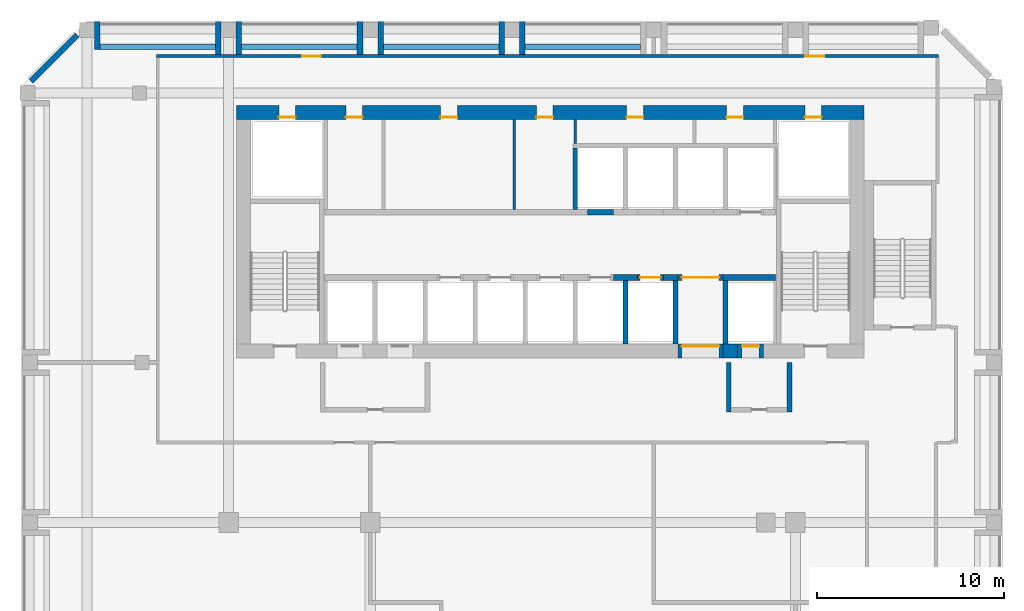
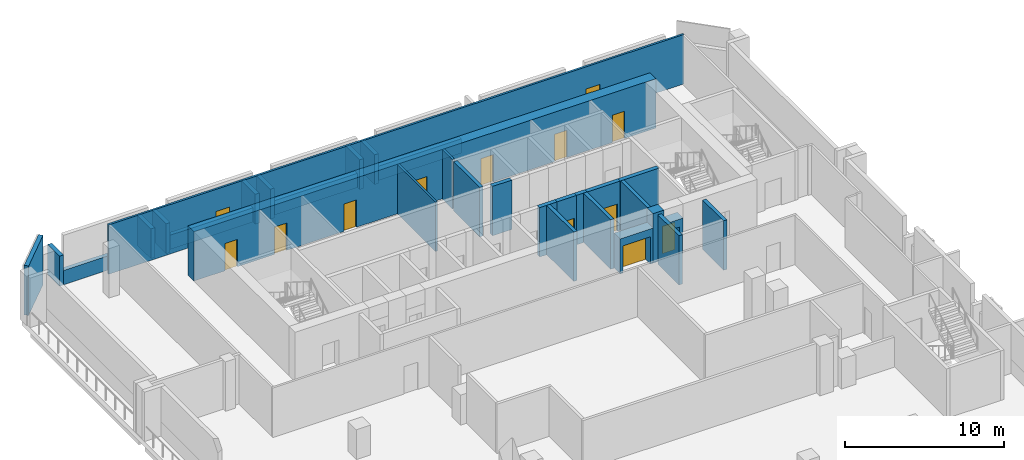
# One storey, part 4 of 9: 31 walls, 13 doors, 13 openings.
"""IFC4 building model written with IfcOpenShell, lengths in metres."""

from ifc_helpers import new_model, si_unit, direction, frame, frame_2d, origin, place, context, subcontext, project, spatial, rectangle, extrude, source, transform, mapped, material, layer, layer_set, type_object, element, fill, save


model = new_model("IFC4")

# Units and contexts
model_context = context("Model", 3, precision=1e-05, world=origin(), true_north=direction((0.0, 1.0)))
body_context = subcontext(model_context, "Body", "Model", "MODEL_VIEW")
ifc_project = project(units=[si_unit("LENGTHUNIT", "METRE"), si_unit("AREAUNIT", "SQUARE_METRE"), si_unit("VOLUMEUNIT", "CUBIC_METRE"), si_unit("PLANEANGLEUNIT", "RADIAN"), si_unit("MASSUNIT", "GRAM", prefix="KILO")], contexts=[model_context])

# Site, building, storey
site_placement = place(None, origin())
site = spatial("IfcSite", under=ifc_project, at=site_placement, CompositionType="ELEMENT")
building_placement = place(site_placement, origin())
building = spatial("IfcBuilding", under=site, at=building_placement, Name="Kilnfold Tower and Market Hall", CompositionType="ELEMENT")
storey_placement = place(building_placement, frame((0.0, 0.0, 195.699951171875)))
storey = spatial("IfcBuildingStorey", under=building, at=storey_placement, Name="L47 Plant Transfer Level", CompositionType="ELEMENT", Elevation=195.699951171875)

# Wall, openings, doors
ifc_material_1 = material(Name="Gypsum board on steel studs", Category="steel")
ifc_layer_1 = layer(ifc_material_1, 0.14990234375)
ifc_layer_set_1 = layer_set([ifc_layer_1], Name="Gypsum board on steel studs")
wall_type_1 = type_object("IfcWallType", Name="WALL CORRIDOR 150", PredefinedType="PARTITIONING", material=ifc_layer_set_1)
wall_1_placement = place(storey_placement, frame((-20.033935546875, 24.39990234375, 0.0), z_axis=(0.0, 0.0, 1.0), x_axis=(1.0, 0.0, 0.0)))
wall_1 = element("IfcWall", 1, at=wall_1_placement, inside=storey, type_object=wall_type_1, Name="Partition LY29.13", PredefinedType="PARTITIONING", context=body_context, shape_type="SweptSolid", body=[
    extrude(rectangle(XDim=41.85888671875, YDim=0.14990234375, at=frame_2d((20.929443359375, 0.0))), origin(), (0.0, 0.0, 1.0), 3.800048828125),
])
opening_1_placement = place(wall_1_placement, frame((7.80810546875, 0.0, 0.0)))
opening_1 = element("IfcOpeningElement", 2, at=opening_1_placement, cuts=wall_1, Name="Opening D4", PredefinedType="OPENING", context=body_context, shape_type="SweptSolid", body=[
    extrude(rectangle(XDim=1.0, YDim=2.10009765625, at=frame_2d((0.5, 1.050048828125))), frame((0.0, 0.0849609375, 0.0), z_axis=(0.0, -1.0, 0.0), x_axis=(1.0, 0.0, 0.0)), (0.0, 0.0, 1.0), 0.169921875),
])
opening_2_placement = place(wall_1_placement, frame((34.736083984375, 0.0, 0.0)))
opening_2 = element("IfcOpeningElement", 3, at=opening_2_placement, cuts=wall_1, Name="Opening D4", PredefinedType="OPENING", context=body_context, shape_type="SweptSolid", body=[
    extrude(rectangle(XDim=1.0, YDim=2.10009765625, at=frame_2d((0.5, 1.050048828125))), frame((0.0, 0.0849609375, 0.0), z_axis=(0.0, -1.0, 0.0), x_axis=(1.0, 0.0, 0.0)), (0.0, 0.0, 1.0), 0.169921875),
])
ifc_material_2 = material(Name="Timber veneer door leaf in steel frame", Category="steel")
door_type_1 = type_object("IfcDoorType", Name="DOOR SERVICE 1000 X2100", OperationType="NOTDEFINED", PredefinedType="DOOR", material=ifc_material_2)
door_1_placement = place(opening_1_placement, origin())
door_1 = element("IfcDoor", 4, at=door_1_placement, inside=storey, type_object=door_type_1, Name="Door D4", OperationType="SINGLE_SWING_LEFT", OverallHeight=2.10009765625, OverallWidth=1.0, PredefinedType="DOOR", context=body_context, shape_type="SweptSolid", body=[
    extrude(rectangle(XDim=1.0, YDim=2.10009765625, at=frame_2d((0.5, 1.050048828125))), frame((0.0, 0.02490234375, 0.0), z_axis=(0.0, -1.0, 0.0), x_axis=(1.0, 0.0, 0.0)), (0.0, 0.0, 1.0), 0.050048828125),
])
fill(opening_1, door_1)
door_2_placement = place(opening_2_placement, origin())
door_2 = element("IfcDoor", 5, at=door_2_placement, inside=storey, type_object=door_type_1, Name="Door D4", OperationType="SINGLE_SWING_LEFT", OverallHeight=2.10009765625, OverallWidth=1.0, PredefinedType="DOOR", context=body_context, shape_type="SweptSolid", body=[
    extrude(rectangle(XDim=1.0, YDim=2.10009765625, at=frame_2d((0.5, 1.050048828125))), frame((0.0, 0.02490234375, 0.0), z_axis=(0.0, -1.0, 0.0), x_axis=(1.0, 0.0, 0.0)), (0.0, 0.0, 1.0), 0.050048828125),
])
fill(opening_2, door_2)

# Walls
ifc_material_3 = material(Name="Concrete C60", Category="concrete")
ifc_layer_2 = layer(ifc_material_3, 0.300048828125)
ifc_layer_set_2 = layer_set([ifc_layer_2], Name="Concrete C60")
wall_type_2 = type_object("IfcWallType", Name="CORE WALL 300 C60", PredefinedType="SHEAR", material=ifc_layer_set_2)
shared_shape_1 = source(origin(), body_context, "Body", "SweptSolid", [
    extrude(rectangle(XDim=1.280029296875, YDim=0.300048828125, at=frame_2d((0.64013671875, 0.0))), origin(), (0.0, 0.0, 1.0), 3.800048828125),
])
wall_2_placement = place(storey_placement, frame((4.429931640625, 12.550048828125, 0.0), z_axis=(0.0, 0.0, 1.0), x_axis=(1.0, 0.0, 0.0)))
element("IfcWall", 6, at=wall_2_placement, inside=storey, type_object=wall_type_2, Name="Core spine wall", PredefinedType="SHEAR", context=body_context, shape_type="MappedRepresentation", body=[
    mapped(shared_shape_1, transform((0.0, 0.0, 0.0))),
])
shared_shape_2 = source(origin(), body_context, "Body", "SweptSolid", [
    extrude(rectangle(XDim=0.77978515625, YDim=0.300048828125, at=frame_2d((0.389892578125, 0.0))), origin(), (0.0, 0.0, 1.0), 3.800048828125),
])
wall_3_placement = place(storey_placement, frame((7.110107421875, 12.550048828125, 0.0), z_axis=(0.0, 0.0, 1.0), x_axis=(1.0, 0.0, 0.0)))
element("IfcWall", 7, at=wall_3_placement, inside=storey, type_object=wall_type_2, Name="Core spine wall", PredefinedType="SHEAR", context=body_context, shape_type="MappedRepresentation", body=[
    mapped(shared_shape_2, transform((0.0, 0.0, 0.0))),
])
shared_shape_3 = source(origin(), body_context, "Body", "SweptSolid", [
    extrude(rectangle(XDim=2.820068359375, YDim=0.300048828125, at=frame_2d((1.41015625, 0.0))), origin(), (0.0, 0.0, 1.0), 3.800048828125),
])
wall_4_placement = place(storey_placement, frame((10.2900390625, 12.550048828125, 0.0), z_axis=(0.0, 0.0, 1.0), x_axis=(1.0, 0.0, 0.0)))
element("IfcWall", 8, at=wall_4_placement, inside=storey, type_object=wall_type_2, Name="Core spine wall", PredefinedType="SHEAR", context=body_context, shape_type="MappedRepresentation", body=[
    mapped(shared_shape_3, transform((0.0, 0.0, 0.0))),
])
ifc_material_4 = material(Name="Concrete C60", Category="concrete")
ifc_layer_3 = layer(ifc_material_4, 0.75)
ifc_layer_set_3 = layer_set([ifc_layer_3], Name="Concrete C60")
wall_type_3 = type_object("IfcWallType", Name="CORE WALL 750 C60", PredefinedType="SHEAR", material=ifc_layer_set_3)
shared_shape_4 = source(origin(), body_context, "Body", "SweptSolid", [
    extrude(rectangle(XDim=0.780029296875, YDim=0.75, at=frame_2d((0.39013671875, 0.0))), origin(), (0.0, 0.0, 1.0), 3.800048828125),
])
wall_5_placement = place(storey_placement, frame((10.2900390625, 8.625, 0.0), z_axis=(0.0, 0.0, 1.0), x_axis=(1.0, 0.0, 0.0)))
element("IfcWall", 9, at=wall_5_placement, inside=storey, type_object=wall_type_3, Name="Core outer wall south", PredefinedType="SHEAR", context=body_context, shape_type="MappedRepresentation", body=[
    mapped(shared_shape_4, transform((0.0, 0.0, 0.0))),
])

# Wall, openings, doors
shared_shape_5 = source(origin(), body_context, "Body", "SweptSolid", [
    extrude(rectangle(XDim=33.60009765625, YDim=0.75, at=frame_2d((16.800048828125, 0.0))), origin(), (0.0, 0.0, 1.0), 3.800048828125),
])
wall_6_placement = place(storey_placement, frame((-15.75, 21.375, 0.0), z_axis=(0.0, 0.0, 1.0), x_axis=(1.0, 0.0, 0.0)))
wall_6 = element("IfcWall", 10, at=wall_6_placement, inside=storey, type_object=wall_type_3, Name="Core outer wall north", PredefinedType="SHEAR", context=body_context, shape_type="MappedRepresentation", body=[
    mapped(shared_shape_5, transform((0.0, 0.0, 0.0))),
])
opening_3_placement = place(wall_6_placement, frame((5.85791015625, 0.0, 0.0)))
opening_3 = element("IfcOpeningElement", 11, at=opening_3_placement, cuts=wall_6, Name="Opening KD1", PredefinedType="OPENING", context=body_context, shape_type="SweptSolid", body=[
    extrude(rectangle(XDim=0.89990234375, YDim=2.10009765625, at=frame_2d((0.449951171875, 1.050048828125))), frame((0.0, 0.385009765625, 0.0), z_axis=(0.0, -1.0, 0.0), x_axis=(1.0, 0.0, 0.0)), (0.0, 0.0, 1.0), 0.77001953125),
])
opening_4_placement = place(wall_6_placement, frame((10.923095703125, 0.0, 0.0)))
opening_4 = element("IfcOpeningElement", 12, at=opening_4_placement, cuts=wall_6, Name="Opening KD1", PredefinedType="OPENING", context=body_context, shape_type="SweptSolid", body=[
    extrude(rectangle(XDim=0.89990234375, YDim=2.10009765625, at=frame_2d((0.449951171875, 1.050048828125))), frame((0.0, 0.385009765625, 0.0), z_axis=(0.0, -1.0, 0.0), x_axis=(1.0, 0.0, 0.0)), (0.0, 0.0, 1.0), 0.77001953125),
])
opening_5_placement = place(wall_6_placement, frame((16.05517578125, 0.0, 0.0)))
opening_5 = element("IfcOpeningElement", 13, at=opening_5_placement, cuts=wall_6, Name="Opening KD1", PredefinedType="OPENING", context=body_context, shape_type="SweptSolid", body=[
    extrude(rectangle(XDim=0.89990234375, YDim=2.10009765625, at=frame_2d((0.449951171875, 1.050048828125))), frame((0.0, 0.385009765625, 0.0), z_axis=(0.0, -1.0, 0.0), x_axis=(1.0, 0.0, 0.0)), (0.0, 0.0, 1.0), 0.77001953125),
])
opening_6_placement = place(wall_6_placement, frame((20.879150390625, 0.0, 0.0)))
opening_6 = element("IfcOpeningElement", 14, at=opening_6_placement, cuts=wall_6, Name="Opening KD1", PredefinedType="OPENING", context=body_context, shape_type="SweptSolid", body=[
    extrude(rectangle(XDim=0.89990234375, YDim=2.10009765625, at=frame_2d((0.449951171875, 1.050048828125))), frame((0.0, 0.385009765625, 0.0), z_axis=(0.0, -1.0, 0.0), x_axis=(1.0, 0.0, 0.0)), (0.0, 0.0, 1.0), 0.77001953125),
])
opening_7_placement = place(wall_6_placement, frame((26.2392578125, 0.0, 0.0)))
opening_7 = element("IfcOpeningElement", 15, at=opening_7_placement, cuts=wall_6, Name="Opening KD1", PredefinedType="OPENING", context=body_context, shape_type="SweptSolid", body=[
    extrude(rectangle(XDim=0.89990234375, YDim=2.10009765625, at=frame_2d((0.449951171875, 1.050048828125))), frame((0.0, 0.385009765625, 0.0), z_axis=(0.0, -1.0, 0.0), x_axis=(1.0, 0.0, 0.0)), (0.0, 0.0, 1.0), 0.77001953125),
])
opening_8_placement = place(wall_6_placement, frame((2.27490234375, 0.0, 0.0)))
opening_8 = element("IfcOpeningElement", 16, at=opening_8_placement, cuts=wall_6, Name="Opening KD1", PredefinedType="OPENING", context=body_context, shape_type="SweptSolid", body=[
    extrude(rectangle(XDim=0.89990234375, YDim=2.10009765625, at=frame_2d((0.449951171875, 1.050048828125))), frame((0.0, 0.385009765625, 0.0), z_axis=(0.0, -1.0, 0.0), x_axis=(1.0, 0.0, 0.0)), (0.0, 0.0, 1.0), 0.77001953125),
])
opening_9_placement = place(wall_6_placement, frame((30.425048828125, 0.0, 0.0)))
opening_9 = element("IfcOpeningElement", 17, at=opening_9_placement, cuts=wall_6, Name="Opening KD1", PredefinedType="OPENING", context=body_context, shape_type="SweptSolid", body=[
    extrude(rectangle(XDim=0.89990234375, YDim=2.10009765625, at=frame_2d((0.449951171875, 1.050048828125))), frame((0.0, 0.385009765625, 0.0), z_axis=(0.0, -1.0, 0.0), x_axis=(1.0, 0.0, 0.0)), (0.0, 0.0, 1.0), 0.77001953125),
])
ifc_material_5 = material(Name="Steel door set with fire-resisting leaf", Category="steel")
door_type_2 = type_object("IfcDoorType", Name="SERVICE DOOR 900X2100", OperationType="NOTDEFINED", PredefinedType="DOOR", material=ifc_material_5)
door_3_placement = place(opening_3_placement, origin())
door_3 = element("IfcDoor", 18, at=door_3_placement, inside=storey, type_object=door_type_2, Name="Core service door", OperationType="SINGLE_SWING_RIGHT", OverallHeight=2.10009765625, OverallWidth=0.89990234375, PredefinedType="DOOR", context=body_context, shape_type="SweptSolid", body=[
    extrude(rectangle(XDim=0.89990234375, YDim=2.10009765625, at=frame_2d((0.449951171875, 1.050048828125))), frame((0.0, -0.22998046875, 0.0), z_axis=(0.0, -1.0, 0.0), x_axis=(1.0, 0.0, 0.0)), (0.0, 0.0, 1.0), 0.050048828125),
])
fill(opening_3, door_3)
door_4_placement = place(opening_4_placement, origin())
door_4 = element("IfcDoor", 19, at=door_4_placement, inside=storey, type_object=door_type_2, Name="Core service door", OperationType="SINGLE_SWING_LEFT", OverallHeight=2.10009765625, OverallWidth=0.89990234375, PredefinedType="DOOR", context=body_context, shape_type="SweptSolid", body=[
    extrude(rectangle(XDim=0.89990234375, YDim=2.10009765625, at=frame_2d((0.449951171875, 1.050048828125))), frame((0.0, -0.22998046875, 0.0), z_axis=(0.0, -1.0, 0.0), x_axis=(1.0, 0.0, 0.0)), (0.0, 0.0, 1.0), 0.050048828125),
])
fill(opening_4, door_4)
door_5_placement = place(opening_5_placement, origin())
door_5 = element("IfcDoor", 20, at=door_5_placement, inside=storey, type_object=door_type_2, Name="Core service door", OperationType="SINGLE_SWING_RIGHT", OverallHeight=2.10009765625, OverallWidth=0.89990234375, PredefinedType="DOOR", context=body_context, shape_type="SweptSolid", body=[
    extrude(rectangle(XDim=0.89990234375, YDim=2.10009765625, at=frame_2d((0.449951171875, 1.050048828125))), frame((0.0, -0.22998046875, 0.0), z_axis=(0.0, -1.0, 0.0), x_axis=(1.0, 0.0, 0.0)), (0.0, 0.0, 1.0), 0.050048828125),
])
fill(opening_5, door_5)
door_6_placement = place(opening_6_placement, origin())
door_6 = element("IfcDoor", 21, at=door_6_placement, inside=storey, type_object=door_type_2, Name="Core service door", OperationType="SINGLE_SWING_LEFT", OverallHeight=2.10009765625, OverallWidth=0.89990234375, PredefinedType="DOOR", context=body_context, shape_type="SweptSolid", body=[
    extrude(rectangle(XDim=0.89990234375, YDim=2.10009765625, at=frame_2d((0.449951171875, 1.050048828125))), frame((0.0, -0.22998046875, 0.0), z_axis=(0.0, -1.0, 0.0), x_axis=(1.0, 0.0, 0.0)), (0.0, 0.0, 1.0), 0.050048828125),
])
fill(opening_6, door_6)
door_7_placement = place(opening_7_placement, origin())
door_7 = element("IfcDoor", 22, at=door_7_placement, inside=storey, type_object=door_type_2, Name="Core service door", OperationType="SINGLE_SWING_RIGHT", OverallHeight=2.10009765625, OverallWidth=0.89990234375, PredefinedType="DOOR", context=body_context, shape_type="SweptSolid", body=[
    extrude(rectangle(XDim=0.89990234375, YDim=2.10009765625, at=frame_2d((0.449951171875, 1.050048828125))), frame((0.0, -0.22998046875, 0.0), z_axis=(0.0, -1.0, 0.0), x_axis=(1.0, 0.0, 0.0)), (0.0, 0.0, 1.0), 0.050048828125),
])
fill(opening_7, door_7)
door_8_placement = place(opening_8_placement, origin())
door_8 = element("IfcDoor", 23, at=door_8_placement, inside=storey, type_object=door_type_2, Name="Electrical riser access door", OperationType="SINGLE_SWING_LEFT", OverallHeight=2.10009765625, OverallWidth=0.89990234375, PredefinedType="DOOR", context=body_context, shape_type="SweptSolid", body=[
    extrude(rectangle(XDim=0.89990234375, YDim=2.10009765625, at=frame_2d((0.449951171875, 1.050048828125))), frame((0.0, -0.22998046875, 0.0), z_axis=(0.0, -1.0, 0.0), x_axis=(1.0, 0.0, 0.0)), (0.0, 0.0, 1.0), 0.050048828125),
])
fill(opening_8, door_8)
door_9_placement = place(opening_9_placement, origin())
door_9 = element("IfcDoor", 24, at=door_9_placement, inside=storey, type_object=door_type_2, Name="Mechanical riser access door", OperationType="SINGLE_SWING_RIGHT", OverallHeight=2.10009765625, OverallWidth=0.89990234375, PredefinedType="DOOR", context=body_context, shape_type="SweptSolid", body=[
    extrude(rectangle(XDim=0.89990234375, YDim=2.10009765625, at=frame_2d((0.449951171875, 1.050048828125))), frame((0.0, -0.22998046875, 0.0), z_axis=(0.0, -1.0, 0.0), x_axis=(1.0, 0.0, 0.0)), (0.0, 0.0, 1.0), 0.050048828125),
])
fill(opening_9, door_9)

# Walls
ifc_material_6 = material(Name="Precast concrete C50/60", Category="concrete")
ifc_layer_4 = layer(ifc_material_6, 0.300048828125)
ifc_layer_set_4 = layer_set([ifc_layer_4], Name="Precast concrete C50/60")
wall_type_4 = type_object("IfcWallType", Name="PRECAST WALL 300", PredefinedType="SOLIDWALL", material=ifc_layer_set_4)
shared_shape_6 = source(origin(), body_context, "Body", "SweptSolid", [
    extrude(rectangle(XDim=1.5, YDim=0.300048828125, at=frame_2d((0.75, 0.0))), origin(), (0.0, 0.0, 1.0), 2.300048828125),
])
wall_7_placement = place(storey_placement, frame((-23.199951171875, 26.25, 0.0), z_axis=(0.0, 0.0, 1.0), x_axis=(0.0, -1.0, 0.0)))
element("IfcWall", 25, at=wall_7_placement, inside=storey, type_object=wall_type_4, Name="Plant wall L47 N", PredefinedType="SOLIDWALL", context=body_context, shape_type="MappedRepresentation", body=[
    mapped(shared_shape_6, transform((0.0, 0.0, 0.0))),
])
shared_shape_7 = source(origin(), body_context, "Body", "SweptSolid", [
    extrude(rectangle(XDim=3.500244140625, YDim=0.300048828125, at=frame_2d((1.75, 0.0))), origin(), (0.0, 0.0, 1.0), 3.800048828125),
])
wall_8_placement = place(storey_placement, frame((-24.268798828125, 25.518798828125, 0.0), z_axis=(0.0, 0.0, 1.0), x_axis=(-0.707141656123, -0.70707190453, 0.0)))
element("IfcWall", 26, at=wall_8_placement, inside=storey, type_object=wall_type_4, Name="Plant wall L47 NW", PredefinedType="SOLIDWALL", context=body_context, shape_type="MappedRepresentation", body=[
    mapped(shared_shape_7, transform((0.0, 0.0, 0.0))),
])
shared_shape_8 = source(origin(), body_context, "Body", "SweptSolid", [
    extrude(rectangle(XDim=6.183349609375, YDim=0.300048828125, at=frame_2d((3.091796875, 0.0))), origin(), (0.0, 0.0, 1.0), 1.10009765625),
])
for number, where, z_axis, x_axis, name in (
    (27, (5.88330078125, 24.89990234375, 0.0), (0.0, 0.0, 1.0), (-1.0, 0.0, 0.0), "Knee wall L47 N"),
    (28, (-1.699951171875, 24.89990234375, 0.0), (0.0, 0.0, 1.0), (-1.0, 0.0, 0.0), "Knee wall L47 N"),
    (29, (-16.86669921875, 24.89990234375, 0.0), (0.0, 0.0, 1.0), (-1.0, 0.0, 0.0), "Knee wall L47 N"),
):
    element("IfcWall", number, at=place(storey_placement, frame(where, z_axis=z_axis, x_axis=x_axis)), inside=storey, type_object=wall_type_4, Name=name, PredefinedType="SOLIDWALL", context=body_context, shape_type="MappedRepresentation", body=[
        mapped(shared_shape_8, transform((0.0, 0.0, 0.0))),
    ])
shared_shape_9 = source(origin(), body_context, "Body", "SweptSolid", [
    extrude(rectangle(XDim=6.18359375, YDim=0.300048828125, at=frame_2d((3.091796875, 0.0))), origin(), (0.0, 0.0, 1.0), 1.10009765625),
])
wall_9_placement = place(storey_placement, frame((-9.283203125, 24.89990234375, 0.0), z_axis=(0.0, 0.0, 1.0), x_axis=(-1.0, 0.0, 0.0)))
element("IfcWall", 30, at=wall_9_placement, inside=storey, type_object=wall_type_4, Name="Knee wall L47 N", PredefinedType="SOLIDWALL", context=body_context, shape_type="MappedRepresentation", body=[
    mapped(shared_shape_9, transform((0.0, 0.0, 0.0))),
])
shared_shape_10 = source(origin(), body_context, "Body", "SweptSolid", [
    extrude(rectangle(XDim=1.77490234375, YDim=0.300048828125, at=frame_2d((0.887451171875, 0.0))), origin(), (0.0, 0.0, 1.0), 2.300048828125),
])
for number, where, z_axis, x_axis, name in (
    (31, (-0.449951171875, 26.25, 0.0), (0.0, 0.0, 1.0), (0.0, -1.0, 0.0), "Plant wall L47 N"),
    (32, (-1.550048828125, 26.25, 0.0), (0.0, 0.0, 1.0), (0.0, -1.0, 0.0), "Plant wall L47 N"),
    (33, (-8.033203125, 26.25, 0.0), (0.0, 0.0, 1.0), (0.0, -1.0, 0.0), "Plant wall L47 N"),
    (34, (-9.13330078125, 26.25, 0.0), (0.0, 0.0, 1.0), (0.0, -1.0, 0.0), "Plant wall L47 N"),
    (35, (-15.61669921875, 26.25, 0.0), (0.0, 0.0, 1.0), (0.0, -1.0, 0.0), "Plant wall L47 N"),
    (36, (-16.716796875, 26.25, 0.0), (0.0, 0.0, 1.0), (0.0, -1.0, 0.0), "Plant wall L47 N"),
):
    element("IfcWall", number, at=place(storey_placement, frame(where, z_axis=z_axis, x_axis=x_axis)), inside=storey, type_object=wall_type_4, Name=name, PredefinedType="SOLIDWALL", context=body_context, shape_type="MappedRepresentation", body=[
        mapped(shared_shape_10, transform((0.0, 0.0, 0.0))),
    ])
ifc_material_7 = material(Name="Gypsum shaft wall system")
ifc_layer_5 = layer(ifc_material_7, 0.300048828125)
ifc_layer_set_5 = layer_set([ifc_layer_5], Name="Gypsum shaft wall system")
wall_type_5 = type_object("IfcWallType", Name="SHAFT WALL 300", PredefinedType="PARTITIONING", material=ifc_layer_set_5)
shared_shape_11 = source(origin(), body_context, "Body", "SweptSolid", [
    extrude(rectangle(XDim=1.39990234375, YDim=0.300048828125, at=frame_2d((0.699951171875, 0.0))), origin(), (0.0, 0.0, 1.0), 3.800048828125),
])
wall_10_placement = place(storey_placement, frame((3.030029296875, 16.050048828125, 0.0), z_axis=(0.0, 0.0, 1.0), x_axis=(1.0, 0.0, 0.0)))
element("IfcWall", 37, at=wall_10_placement, inside=storey, type_object=wall_type_5, Name="Lift shaft front wall", PredefinedType="PARTITIONING", context=body_context, shape_type="MappedRepresentation", body=[
    mapped(shared_shape_11, transform((0.0, 0.0, 0.0))),
])

# Wall, opening, door
shared_shape_12 = source(origin(), body_context, "Body", "SweptSolid", [
    extrude(rectangle(XDim=1.400146484375, YDim=0.300048828125, at=frame_2d((0.7001953125, 0.0))), origin(), (0.0, 0.0, 1.0), 3.800048828125),
])
wall_11_placement = place(storey_placement, frame((5.7099609375, 12.550048828125, 0.0), z_axis=(0.0, 0.0, 1.0), x_axis=(1.0, 0.0, 0.0)))
wall_11 = element("IfcWall", 38, at=wall_11_placement, inside=storey, type_object=wall_type_5, Name="Lift shaft front wall", PredefinedType="PARTITIONING", context=body_context, shape_type="MappedRepresentation", body=[
    mapped(shared_shape_12, transform((0.0, 0.0, 0.0))),
])
opening_10_placement = place(wall_11_placement, frame((0.14990234375, 0.0, 0.0)))
opening_10 = element("IfcOpeningElement", 39, at=opening_10_placement, cuts=wall_11, Name="Opening LD2", PredefinedType="OPENING", context=body_context, shape_type="SweptSolid", body=[
    extrude(rectangle(XDim=1.10009765625, YDim=2.10009765625, at=frame_2d((0.550048828125, 1.050048828125))), frame((0.0, 0.16015625, 0.0), z_axis=(0.0, -1.0, 0.0), x_axis=(1.0, 0.0, 0.0)), (0.0, 0.0, 1.0), 0.320068359375),
])
ifc_material_8 = material(Name="Steel door set with fire-resisting leaf", Category="steel")
door_type_3 = type_object("IfcDoorType", Name="LANDING DOOR 1100X2100", OperationType="NOTDEFINED", PredefinedType="DOOR", material=ifc_material_8)
door_10_placement = place(opening_10_placement, origin())
door_10 = element("IfcDoor", 40, at=door_10_placement, inside=storey, type_object=door_type_3, Name="Landing door MR5", OperationType="DOUBLE_DOOR_SLIDING", OverallHeight=2.10009765625, OverallWidth=1.10009765625, PredefinedType="DOOR", context=body_context, shape_type="SweptSolid", body=[
    extrude(rectangle(XDim=1.10009765625, YDim=2.10009765625, at=frame_2d((0.550048828125, 1.050048828125))), frame((0.0, 0.02490234375, 0.0), z_axis=(0.0, -1.0, 0.0), x_axis=(1.0, 0.0, 0.0)), (0.0, 0.0, 1.0), 0.050048828125),
])
fill(opening_10, door_10)

shared_shape_13 = source(origin(), body_context, "Body", "SweptSolid", [
    extrude(rectangle(XDim=2.400146484375, YDim=0.300048828125, at=frame_2d((1.2001953125, 0.0))), origin(), (0.0, 0.0, 1.0), 3.800048828125),
])
wall_12_placement = place(storey_placement, frame((7.889892578125, 12.550048828125, 0.0), z_axis=(0.0, 0.0, 1.0), x_axis=(1.0, 0.0, 0.0)))
wall_12 = element("IfcWall", 41, at=wall_12_placement, inside=storey, type_object=wall_type_5, Name="Lift shaft front wall", PredefinedType="PARTITIONING", context=body_context, shape_type="MappedRepresentation", body=[
    mapped(shared_shape_13, transform((0.0, 0.0, 0.0))),
])
opening_11_placement = place(wall_12_placement, frame((0.199951171875, 0.0, 0.0)))
opening_11 = element("IfcOpeningElement", 42, at=opening_11_placement, cuts=wall_12, Name="Opening VD2", PredefinedType="OPENING", context=body_context, shape_type="SweptSolid", body=[
    extrude(rectangle(XDim=2.0, YDim=2.10009765625, at=frame_2d((1.0, 1.050048828125))), frame((0.0, 0.16015625, 0.0), z_axis=(0.0, -1.0, 0.0), x_axis=(1.0, 0.0, 0.0)), (0.0, 0.0, 1.0), 0.320068359375),
])
ifc_material_9 = material(Name="Steel door set with fire-resisting leaf", Category="steel")
door_type_4 = type_object("IfcDoorType", Name="LIFT LOBBY ENTRANCE DOOR 2000X2100", OperationType="NOTDEFINED", PredefinedType="DOOR", material=ifc_material_9)
door_11_placement = place(opening_11_placement, origin())
door_11 = element("IfcDoor", 43, at=door_11_placement, inside=storey, type_object=door_type_4, Name="Lift lobby entrance door", OperationType="DOUBLE_DOOR_SINGLE_SWING", OverallHeight=2.10009765625, OverallWidth=2.0, PredefinedType="DOOR", context=body_context, shape_type="SweptSolid", body=[
    extrude(rectangle(XDim=2.0, YDim=2.10009765625, at=frame_2d((1.0, 1.050048828125))), frame((0.0, 0.02490234375, 0.0), z_axis=(0.0, -1.0, 0.0), x_axis=(1.0, 0.0, 0.0)), (0.0, 0.0, 1.0), 0.050048828125),
])
fill(opening_11, door_11)

# Walls
ifc_material_10 = material(Name="Gypsum shaft wall system")
ifc_layer_6 = layer(ifc_material_10, 0.25)
ifc_layer_set_6 = layer_set([ifc_layer_6], Name="Gypsum shaft wall system")
wall_type_6 = type_object("IfcWallType", Name="LOBBY WALL 250", PredefinedType="PARTITIONING", material=ifc_layer_set_6)
shared_shape_14 = source(origin(), body_context, "Body", "SweptSolid", [
    extrude(rectangle(XDim=2.64990234375, YDim=0.25, at=frame_2d((1.324951171875, 0.0))), origin(), (0.0, 0.0, 1.0), 3.800048828125),
])
for number, where, z_axis, x_axis, name in (
    (44, (10.60498046875, 5.35009765625, 0.0), (0.0, 0.0, 1.0), (0.0, 1.0, 0.0), "Firefighting lobby wall"),
    (45, (13.85498046875, 5.35009765625, 0.0), (0.0, 0.0, 1.0), (0.0, 1.0, 0.0), "Firefighting lobby wall"),
):
    element("IfcWall", number, at=place(storey_placement, frame(where, z_axis=z_axis, x_axis=x_axis)), inside=storey, type_object=wall_type_6, Name=name, PredefinedType="PARTITIONING", context=body_context, shape_type="MappedRepresentation", body=[
        mapped(shared_shape_14, transform((0.0, 0.0, 0.0))),
    ])
ifc_material_11 = material(Name="Gypsum shaft wall system")
ifc_layer_7 = layer(ifc_material_11, 0.25)
ifc_layer_set_7 = layer_set([ifc_layer_7], Name="Gypsum shaft wall system")
wall_type_7 = type_object("IfcWallType", Name="SHAFT WALL 250", PredefinedType="PARTITIONING", material=ifc_layer_set_7)
shared_shape_15 = source(origin(), body_context, "Body", "SweptSolid", [
    extrude(rectangle(XDim=3.275146484375, YDim=0.25, at=frame_2d((1.6376953125, 0.0))), origin(), (0.0, 0.0, 1.0), 3.800048828125),
])
wall_13_placement = place(storey_placement, frame((2.389892578125, 16.199951171875, 0.0), z_axis=(0.0, 0.0, 1.0), x_axis=(0.0, 1.0, 0.0)))
element("IfcWall", 46, at=wall_13_placement, inside=storey, type_object=wall_type_7, Name="Lift shaft wall", PredefinedType="PARTITIONING", context=body_context, shape_type="MappedRepresentation", body=[
    mapped(shared_shape_15, transform((0.0, 0.0, 0.0))),
])
shared_shape_16 = source(origin(), body_context, "Body", "SweptSolid", [
    extrude(rectangle(XDim=3.39990234375, YDim=0.25, at=frame_2d((1.699951171875, 0.0))), origin(), (0.0, 0.0, 1.0), 3.800048828125),
])
for number, where, z_axis, x_axis, name in (
    (47, (10.429931640625, 9.0, 0.0), (0.0, 0.0, 1.0), (0.0, 1.0, 0.0), "Lift shaft wall"),
    (48, (5.070068359375, 9.0, 0.0), (0.0, 0.0, 1.0), (0.0, 1.0, 0.0), "Lift shaft wall"),
    (49, (7.75, 9.0, 0.0), (0.0, 0.0, 1.0), (0.0, 1.0, 0.0), "Lift shaft wall"),
):
    element("IfcWall", number, at=place(storey_placement, frame(where, z_axis=z_axis, x_axis=x_axis)), inside=storey, type_object=wall_type_7, Name=name, PredefinedType="PARTITIONING", context=body_context, shape_type="MappedRepresentation", body=[
        mapped(shared_shape_16, transform((0.0, 0.0, 0.0))),
    ])
ifc_material_12 = material(Name="Gypsum shaft wall system")
ifc_layer_8 = layer(ifc_material_12, 0.14990234375)
ifc_layer_set_8 = layer_set([ifc_layer_8], Name="Gypsum shaft wall system")
wall_type_8 = type_object("IfcWallType", Name="ROOM WALL 150", PredefinedType="PARTITIONING", material=ifc_layer_set_8)
shared_shape_17 = source(origin(), body_context, "Body", "SweptSolid", [
    extrude(rectangle(XDim=1.27490234375, YDim=0.14990234375, at=frame_2d((0.637451171875, 0.0))), origin(), (0.0, 0.0, 1.0), 3.800048828125),
])
wall_14_placement = place(storey_placement, frame((2.389892578125, 19.72509765625, 0.0), z_axis=(0.0, 0.0, 1.0), x_axis=(0.0, 1.0, 0.0)))
element("IfcWall", 50, at=wall_14_placement, inside=storey, type_object=wall_type_8, Name="Core room wall", PredefinedType="PARTITIONING", context=body_context, shape_type="MappedRepresentation", body=[
    mapped(shared_shape_17, transform((0.0, 0.0, 0.0))),
])
shared_shape_18 = source(origin(), body_context, "Body", "SweptSolid", [
    extrude(rectangle(XDim=4.800048828125, YDim=0.14990234375, at=frame_2d((2.39990234375, 0.0))), origin(), (0.0, 0.0, 1.0), 3.800048828125),
])
wall_15_placement = place(storey_placement, frame((-0.879638671875, 16.199951171875, 0.0), z_axis=(0.0, 0.0, 1.0), x_axis=(0.0, 1.0, 0.0)))
element("IfcWall", 51, at=wall_15_placement, inside=storey, type_object=wall_type_8, Name="Core room wall", PredefinedType="PARTITIONING", context=body_context, shape_type="MappedRepresentation", body=[
    mapped(shared_shape_18, transform((0.0, 0.0, 0.0))),
])

# Wall, opening, door
ifc_material_13 = material(Name="Gypsum shaft wall system")
ifc_layer_9 = layer(ifc_material_13, 0.75)
ifc_layer_set_9 = layer_set([ifc_layer_9], Name="Gypsum shaft wall system")
wall_type_9 = type_object("IfcWallType", Name="LOBBY WALL 750", PredefinedType="PARTITIONING", material=ifc_layer_set_9)
shared_shape_19 = source(origin(), body_context, "Body", "SweptSolid", [
    extrude(rectangle(XDim=1.39990234375, YDim=0.75, at=frame_2d((0.699951171875, 0.0))), origin(), (0.0, 0.0, 1.0), 2.699951171875),
])
wall_16_placement = place(storey_placement, frame((11.070068359375, 8.625, 0.0), z_axis=(0.0, 0.0, 1.0), x_axis=(1.0, 0.0, 0.0)))
wall_16 = element("IfcWall", 52, at=wall_16_placement, inside=storey, type_object=wall_type_9, Name="Core wall infill", PredefinedType="PARTITIONING", context=body_context, shape_type="MappedRepresentation", body=[
    mapped(shared_shape_19, transform((0.0, 0.0, 0.0))),
])
opening_12_placement = place(wall_16_placement, frame((0.25, 0.0, 0.0)))
opening_12 = element("IfcOpeningElement", 53, at=opening_12_placement, cuts=wall_16, Name="Opening LD1", PredefinedType="OPENING", context=body_context, shape_type="SweptSolid", body=[
    extrude(rectangle(XDim=0.89990234375, YDim=2.10009765625, at=frame_2d((0.449951171875, 1.050048828125))), frame((0.0, 0.385009765625, 0.0), z_axis=(0.0, -1.0, 0.0), x_axis=(1.0, 0.0, 0.0)), (0.0, 0.0, 1.0), 0.77001953125),
])
ifc_material_14 = material(Name="Steel door set with fire-resisting leaf", Category="steel")
door_type_5 = type_object("IfcDoorType", Name="FIREFIGHTING LANDING DOOR 900X2100", OperationType="NOTDEFINED", PredefinedType="DOOR", material=ifc_material_14)
door_12_placement = place(opening_12_placement, origin())
door_12 = element("IfcDoor", 54, at=door_12_placement, inside=storey, type_object=door_type_5, Name="Landing door FF3", OperationType="SLIDING_TO_LEFT", OverallHeight=2.10009765625, OverallWidth=0.89990234375, PredefinedType="DOOR", context=body_context, shape_type="SweptSolid", body=[
    extrude(rectangle(XDim=0.89990234375, YDim=2.10009765625, at=frame_2d((0.449951171875, 1.050048828125))), frame((0.0, 0.27978515625, 0.0), z_axis=(0.0, -1.0, 0.0), x_axis=(1.0, 0.0, 0.0)), (0.0, 0.0, 1.0), 0.050048828125),
])
fill(opening_12, door_12)

shared_shape_20 = source(origin(), body_context, "Body", "SweptSolid", [
    extrude(rectangle(XDim=2.400146484375, YDim=0.75, at=frame_2d((1.2001953125, 0.0))), origin(), (0.0, 0.0, 1.0), 2.699951171875),
])
wall_17_placement = place(storey_placement, frame((7.889892578125, 8.625, 0.0), z_axis=(0.0, 0.0, 1.0), x_axis=(1.0, 0.0, 0.0)))
wall_17 = element("IfcWall", 55, at=wall_17_placement, inside=storey, type_object=wall_type_9, Name="Core wall infill", PredefinedType="PARTITIONING", context=body_context, shape_type="MappedRepresentation", body=[
    mapped(shared_shape_20, transform((0.0, 0.0, 0.0))),
])
opening_13_placement = place(wall_17_placement, frame((0.199951171875, 0.0, 0.0)))
opening_13 = element("IfcOpeningElement", 56, at=opening_13_placement, cuts=wall_17, Name="Opening VD2", PredefinedType="OPENING", context=body_context, shape_type="SweptSolid", body=[
    extrude(rectangle(XDim=2.0, YDim=2.10009765625, at=frame_2d((1.0, 1.050048828125))), frame((0.0, 0.385009765625, 0.0), z_axis=(0.0, -1.0, 0.0), x_axis=(1.0, 0.0, 0.0)), (0.0, 0.0, 1.0), 0.77001953125),
])
door_13_placement = place(opening_13_placement, origin())
door_13 = element("IfcDoor", 57, at=door_13_placement, inside=storey, type_object=door_type_4, Name="Lift lobby entrance door", OperationType="DOUBLE_DOOR_SINGLE_SWING", OverallHeight=2.10009765625, OverallWidth=2.0, PredefinedType="DOOR", context=body_context, shape_type="SweptSolid", body=[
    extrude(rectangle(XDim=2.0, YDim=2.10009765625, at=frame_2d((1.0, 1.050048828125))), frame((0.0, 0.27978515625, 0.0), z_axis=(0.0, -1.0, 0.0), x_axis=(1.0, 0.0, 0.0)), (0.0, 0.0, 1.0), 0.050048828125),
])
fill(opening_13, door_13)

save(model, "model.ifc")
